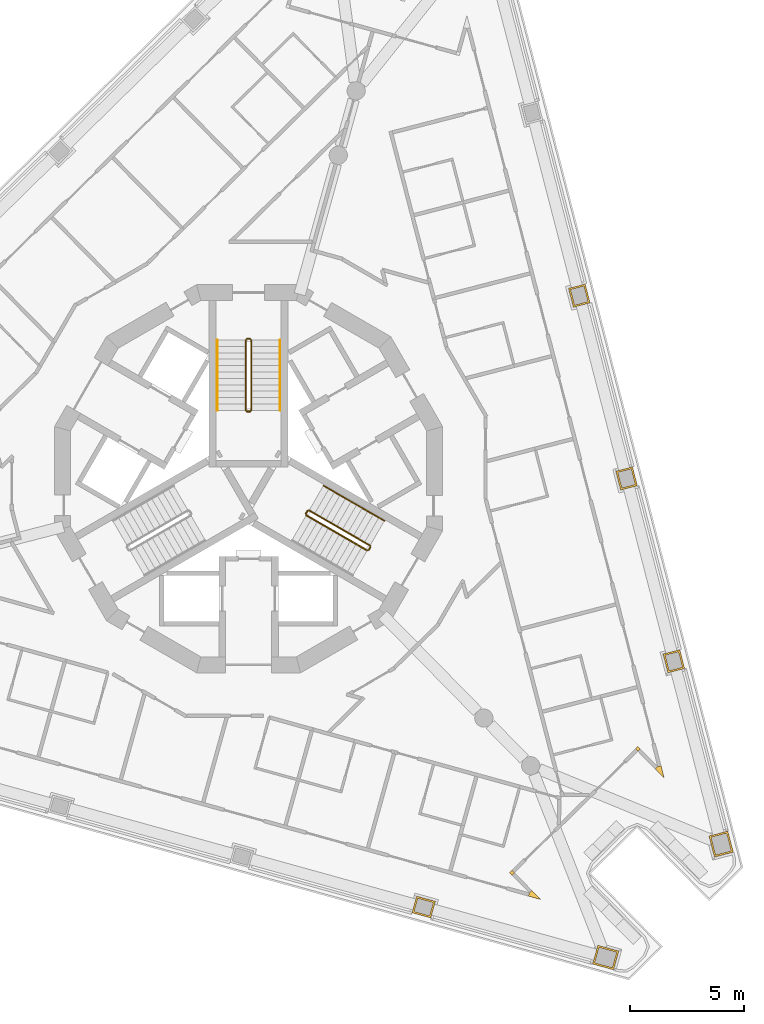
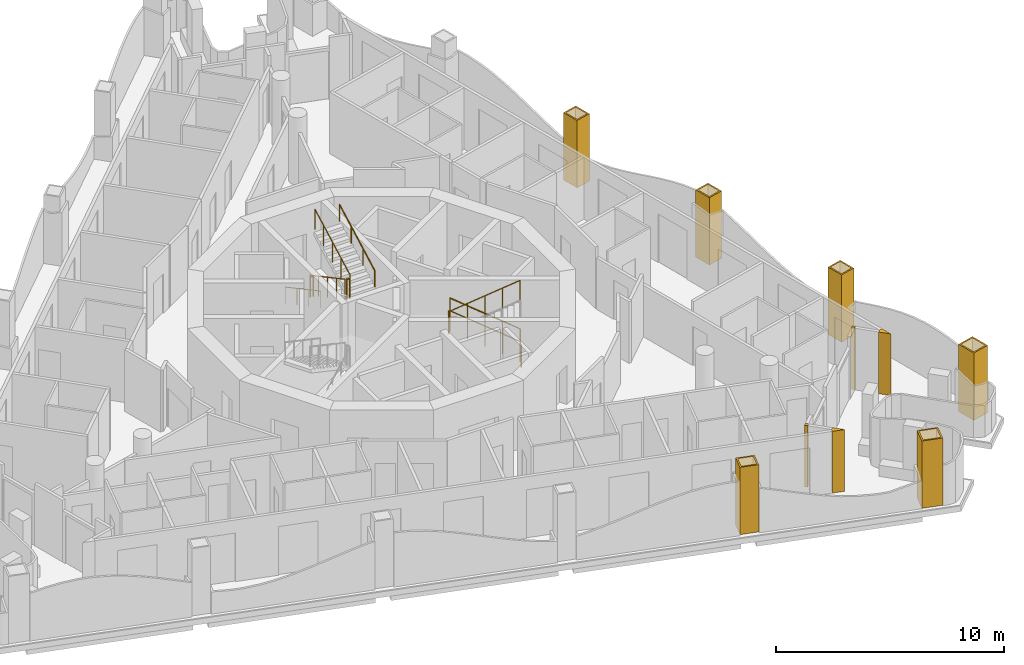
# One storey, part 13 of 15: 12 railings, 10 coverings.
"""IFC4 building model written with IfcOpenShell, lengths in metres."""

from ifc_helpers import new_model, si_unit, direction, frame, origin, origin_2d, place, context, subcontext, project, spatial, polyline, circle, outline, extrude, material, layer, layer_set, type_object, element, save


model = new_model("IFC4")

# Units and contexts
model_context = context("Model", 3, precision=1e-05, world=origin(), true_north=direction((0.0, 1.0)))
body_context = subcontext(model_context, "Body", "Model", "MODEL_VIEW")
ifc_project = project(units=[si_unit("LENGTHUNIT", "METRE"), si_unit("AREAUNIT", "SQUARE_METRE"), si_unit("VOLUMEUNIT", "CUBIC_METRE"), si_unit("PLANEANGLEUNIT", "RADIAN"), si_unit("MASSUNIT", "GRAM", prefix="KILO")], contexts=[model_context])

# Site, building, storey
site_placement = place(None, origin())
site = spatial("IfcSite", under=ifc_project, at=site_placement, CompositionType="ELEMENT")
building_placement = place(site_placement, origin())
building = spatial("IfcBuilding", under=site, at=building_placement, Name="Trine Commons Tower", CompositionType="ELEMENT")
storey_placement = place(building_placement, frame((0.0, 0.0, 260.10009765625)))
storey = spatial("IfcBuildingStorey", under=building, at=storey_placement, Name="L68", CompositionType="ELEMENT", Elevation=260.10009765625)

# Coverings
ifc_material_1 = material(Name="Aluminium-framed insulated wall panel", Category="aluminium")
ifc_layer_1 = layer(ifc_material_1, 0.14990234375)
ifc_layer_set_1 = layer_set([ifc_layer_1], Name="Aluminium-framed insulated wall panel")
covering_type_1 = type_object("IfcCoveringType", Name="Glazing corner post, aluminium", PredefinedType="CLADDING", material=ifc_layer_set_1)
covering_1_placement = place(storey_placement, origin())
element("IfcCovering", 1, at=covering_1_placement, inside=storey, type_object=covering_type_1, Name="Glazing corner post 7-06", PredefinedType="CLADDING", context=body_context, shape_type="SweptSolid", body=[
    extrude(outline(polyline([(97.80859375, 49.78515625), (98.200927734375, 49.3857421875), (98.060791015625, 49.927734375), (97.91552734375, 49.890380859375), (97.91552734375, 49.890380859375), (97.80859375, 49.78515625)])), origin(), (0.0, 0.0, 1.0), 3.2998046875),
])
covering_2_placement = place(storey_placement, origin())
element("IfcCovering", 2, at=covering_2_placement, inside=storey, type_object=covering_type_1, Name="Glazing corner post 7-07", PredefinedType="CLADDING", context=body_context, shape_type="SweptSolid", body=[
    extrude(outline(polyline([(96.9423828125, 50.66650390625), (97.047607421875, 50.5595703125), (97.154541015625, 50.66455078125), (97.04931640625, 50.771484375), (96.9423828125, 50.66650390625)])), origin(), (0.0, 0.0, 1.0), 3.2998046875),
])
covering_3_placement = place(storey_placement, origin())
element("IfcCovering", 3, at=covering_3_placement, inside=storey, type_object=covering_type_1, Name="Glazing corner post 7-08", PredefinedType="CLADDING", context=body_context, shape_type="SweptSolid", body=[
    extrude(outline(polyline([(91.5341796875, 45.1416015625), (91.64111328125, 45.24658203125), (91.535888671875, 45.353515625), (91.428955078125, 45.24853515625), (91.5341796875, 45.1416015625)])), origin(), (0.0, 0.0, 1.0), 3.2998046875),
])
covering_4_placement = place(storey_placement, origin())
element("IfcCovering", 4, at=covering_4_placement, inside=storey, type_object=covering_type_1, Name="Glazing corner post 7-09", PredefinedType="CLADDING", context=body_context, shape_type="SweptSolid", body=[
    extrude(outline(polyline([(92.255126953125, 44.222412109375), (92.79443359375, 44.072998046875), (92.402099609375, 44.47216796875), (92.295166015625, 44.3671875), (92.255126953125, 44.222412109375)])), origin(), (0.0, 0.0, 1.0), 3.2998046875),
])
ifc_material_2 = material(Name="Limestone, honed", Category="masonry")
ifc_layer_2 = layer(ifc_material_2, 0.074951171875)
ifc_layer_set_2 = layer_set([ifc_layer_2], Name="Limestone, honed")
covering_type_2 = type_object("IfcCoveringType", Name="Limestone column cladding 75", PredefinedType="CLADDING", material=ifc_layer_set_2)
covering_5_placement = place(storey_placement, origin())
element("IfcCovering", 5, at=covering_5_placement, inside=storey, type_object=covering_type_2, Name="Limestone pier cladding 7-01", PredefinedType="CLADDING", context=body_context, shape_type="SweptSolid", body=[
    extrude(outline(polyline([(95.292724609375, 42.0673828125), (95.0654296875, 41.248291015625), (95.98095703125, 40.994384765625), (96.2080078125, 41.8134765625), (95.292724609375, 42.0673828125)]), holes=[polyline([(95.344970703125, 41.97509765625), (95.15771484375, 41.300537109375), (95.9287109375, 41.086669921875), (96.11572265625, 41.76123046875), (95.344970703125, 41.97509765625)])]), origin(), (0.0, 0.0, 1.0), 3.599853515625),
])
covering_6_placement = place(storey_placement, origin())
element("IfcCovering", 6, at=covering_6_placement, inside=storey, type_object=covering_type_2, Name="Limestone pier cladding 7-02", PredefinedType="CLADDING", context=body_context, shape_type="SweptSolid", body=[
    extrude(outline(polyline([(87.359619140625, 44.215576171875), (87.158935546875, 43.492919921875), (87.97802734375, 43.265869140625), (88.1787109375, 43.988525390625), (87.359619140625, 44.215576171875)]), holes=[polyline([(87.41162109375, 44.123291015625), (87.25146484375, 43.545166015625), (87.92578125, 43.358154296875), (88.086181640625, 43.936279296875), (87.41162109375, 44.123291015625)])]), origin(), (0.0, 0.0, 1.0), 3.599853515625),
])
covering_7_placement = place(storey_placement, origin())
element("IfcCovering", 7, at=covering_7_placement, inside=storey, type_object=covering_type_2, Name="Limestone pier cladding 7-15", PredefinedType="CLADDING", context=body_context, shape_type="SweptSolid", body=[
    extrude(outline(polyline([(94.738525390625, 71.02099609375), (94.012451171875, 70.833251953125), (94.225341796875, 70.01025390625), (94.951416015625, 70.197998046875), (94.738525390625, 71.02099609375)]), holes=[polyline([(94.684814453125, 70.9296875), (94.10400390625, 70.779296875), (94.279296875, 70.101806640625), (94.860107421875, 70.251953125), (94.684814453125, 70.9296875)])]), origin(), (0.0, 0.0, 1.0), 3.599853515625),
])
covering_8_placement = place(storey_placement, origin())
element("IfcCovering", 8, at=covering_8_placement, inside=storey, type_object=covering_type_2, Name="Limestone pier cladding 7-16", PredefinedType="CLADDING", context=body_context, shape_type="SweptSolid", body=[
    extrude(outline(polyline([(96.808837890625, 63.015625), (96.082763671875, 62.827880859375), (96.295654296875, 62.0048828125), (97.021728515625, 62.192626953125), (96.808837890625, 63.015625)]), holes=[polyline([(96.755126953125, 62.92431640625), (96.17431640625, 62.77392578125), (96.349609375, 62.09619140625), (96.930419921875, 62.24658203125), (96.755126953125, 62.92431640625)])]), origin(), (0.0, 0.0, 1.0), 3.599853515625),
])
covering_9_placement = place(storey_placement, origin())
element("IfcCovering", 9, at=covering_9_placement, inside=storey, type_object=covering_type_2, Name="Limestone pier cladding 7-17", PredefinedType="CLADDING", context=body_context, shape_type="SweptSolid", body=[
    extrude(outline(polyline([(98.87939453125, 55.010498046875), (98.1533203125, 54.822509765625), (98.3662109375, 53.99951171875), (99.09228515625, 54.1875), (98.87939453125, 55.010498046875)]), holes=[polyline([(98.825439453125, 54.9189453125), (98.24462890625, 54.768798828125), (98.419921875, 54.091064453125), (99.000732421875, 54.2412109375), (98.825439453125, 54.9189453125)])]), origin(), (0.0, 0.0, 1.0), 3.599853515625),
])
covering_10_placement = place(storey_placement, origin())
element("IfcCovering", 10, at=covering_10_placement, inside=storey, type_object=covering_type_2, Name="Limestone pier cladding 7-18", PredefinedType="CLADDING", context=body_context, shape_type="SweptSolid", body=[
    extrude(outline(polyline([(100.985595703125, 47.06591796875), (100.16259765625, 46.853271484375), (100.400390625, 45.933349609375), (101.223388671875, 46.146240234375), (100.985595703125, 47.06591796875)]), holes=[polyline([(100.931640625, 46.974609375), (100.25390625, 46.79931640625), (100.454345703125, 46.02490234375), (101.132080078125, 46.2001953125), (100.931640625, 46.974609375)])]), origin(), (0.0, 0.0, 1.0), 3.599853515625),
])

# Railings
ifc_material_3 = material(Name="Stainless steel balustrade", Category="steel")
railing_type_1 = type_object("IfcRailingType", Name="Stair guard, steel balustrade 1100", PredefinedType="GUARDRAIL", material=ifc_material_3)
railing_1_placement = place(storey_placement, frame((79.875, 68.570556640625, 0.14990234375)))
element("IfcRailing", 11, at=railing_1_placement, inside=storey, type_object=railing_type_1, Name="L68 ST1C stair guard 1", PredefinedType="GUARDRAIL", context=body_context, shape_type="SweptSolid", body=[
    extrude(circle(Radius=0.02392578125, at=origin_2d()), frame((0.0, 0.0, 1.076171875), z_axis=(0.0, -0.881496589024, 0.472190389079), x_axis=(1.0, 0.0, 0.0)), (0.0, 0.0, 1.0), 3.494140625),
    extrude(circle(Radius=0.02099609375, at=origin_2d()), origin(), (0.0, 0.0, 1.0), 1.052001953125),
    extrude(circle(Radius=0.02099609375, at=origin_2d()), frame((0.0, -0.77001953125, 0.41259765625)), (0.0, 0.0, 1.0), 1.052001953125),
    extrude(circle(Radius=0.02099609375, at=origin_2d()), frame((0.0, -1.5400390625, 0.824951171875)), (0.0, 0.0, 1.0), 1.052001953125),
    extrude(circle(Radius=0.02099609375, at=origin_2d()), frame((0.0, -2.31005859375, 1.2373046875)), (0.0, 0.0, 1.0), 1.052001953125),
    extrude(circle(Radius=0.02099609375, at=origin_2d()), frame((0.0, -3.080078125, 1.64990234375)), (0.0, 0.0, 1.0), 1.052001953125),
])
railing_2_placement = place(storey_placement, frame((79.925048828125, 65.440673828125, 1.7998046875)))
element("IfcRailing", 12, at=railing_2_placement, inside=storey, type_object=railing_type_1, Name="L68 ST1C stair guard 2", PredefinedType="GUARDRAIL", context=body_context, shape_type="SweptSolid", body=[
    extrude(circle(Radius=0.02392578125, at=origin_2d()), frame((0.0, 0.0, 1.076171875), z_axis=(1.0, 0.0, 0.0), x_axis=(0.0, 1.0, 0.0)), (0.0, 0.0, 1.0), 0.14990234375),
    extrude(circle(Radius=0.02099609375, at=origin_2d()), origin(), (0.0, 0.0, 1.0), 1.052001953125),
    extrude(circle(Radius=0.02099609375, at=origin_2d()), frame((0.14990234375, 0.0, 0.0)), (0.0, 0.0, 1.0), 1.052001953125),
])
railing_3_placement = place(storey_placement, frame((80.125, 65.490478515625, 1.949951171875)))
element("IfcRailing", 13, at=railing_3_placement, inside=storey, type_object=railing_type_1, Name="L68 ST1C stair guard 3", PredefinedType="GUARDRAIL", context=body_context, shape_type="SweptSolid", body=[
    extrude(circle(Radius=0.02392578125, at=origin_2d()), frame((0.0, 0.0, 1.076171875), z_axis=(0.0, 0.881496589024, 0.472190389079), x_axis=(-1.0, 0.0, 0.0)), (0.0, 0.0, 1.0), 3.494140625),
    extrude(circle(Radius=0.02099609375, at=origin_2d()), origin(), (0.0, 0.0, 1.0), 1.052001953125),
    extrude(circle(Radius=0.02099609375, at=origin_2d()), frame((0.0, 0.77001953125, 0.41259765625)), (0.0, 0.0, 1.0), 1.052001953125),
    extrude(circle(Radius=0.02099609375, at=origin_2d()), frame((0.0, 1.5400390625, 0.824951171875)), (0.0, 0.0, 1.0), 1.052001953125),
    extrude(circle(Radius=0.02099609375, at=origin_2d()), frame((0.0, 2.31005859375, 1.2373046875)), (0.0, 0.0, 1.0), 1.052001953125),
    extrude(circle(Radius=0.02099609375, at=origin_2d()), frame((0.0, 3.080078125, 1.64990234375)), (0.0, 0.0, 1.0), 1.052001953125),
])
railing_4_placement = place(storey_placement, frame((79.925048828125, 68.62060546875, 0.0)))
element("IfcRailing", 14, at=railing_4_placement, inside=storey, type_object=railing_type_1, Name="L68 ST1C stair guard 4", PredefinedType="GUARDRAIL", context=body_context, shape_type="SweptSolid", body=[
    extrude(circle(Radius=0.02392578125, at=origin_2d()), frame((0.0, 0.0, 1.076171875), z_axis=(1.0, 0.0, 0.0), x_axis=(0.0, 1.0, 0.0)), (0.0, 0.0, 1.0), 0.14990234375),
    extrude(circle(Radius=0.02099609375, at=origin_2d()), origin(), (0.0, 0.0, 1.0), 1.052001953125),
    extrude(circle(Radius=0.02099609375, at=origin_2d()), frame((0.14990234375, 0.0, 0.0)), (0.0, 0.0, 1.0), 1.052001953125),
])
railing_5_placement = place(storey_placement, frame((85.31982421875, 59.572998046875, 0.14990234375)))
element("IfcRailing", 15, at=railing_5_placement, inside=storey, type_object=railing_type_1, Name="L68 ST3C stair guard 1", PredefinedType="GUARDRAIL", context=body_context, shape_type="SweptSolid", body=[
    extrude(circle(Radius=0.02392578125, at=origin_2d()), frame((0.0, 0.0, 1.076171875), z_axis=(-0.76340495495, 0.440743040072, 0.472184759798), x_axis=(-0.499992328818, -0.866029832698, 0.0)), (0.0, 0.0, 1.0), 3.494140625),
    extrude(circle(Radius=0.02099609375, at=origin_2d()), origin(), (0.0, 0.0, 1.0), 1.052001953125),
    extrude(circle(Radius=0.02099609375, at=origin_2d()), frame((-0.6669921875, 0.385009765625, 0.41259765625)), (0.0, 0.0, 1.0), 1.052001953125),
    extrude(circle(Radius=0.02099609375, at=origin_2d()), frame((-1.333740234375, 0.77001953125, 0.824951171875)), (0.0, 0.0, 1.0), 1.052001953125),
    extrude(circle(Radius=0.02099609375, at=origin_2d()), frame((-2.00048828125, 1.155029296875, 1.2373046875)), (0.0, 0.0, 1.0), 1.052001953125),
    extrude(circle(Radius=0.02099609375, at=origin_2d()), frame((-2.66748046875, 1.5400390625, 1.64990234375)), (0.0, 0.0, 1.0), 1.052001953125),
])
railing_6_placement = place(storey_placement, frame((82.584228515625, 61.0947265625, 1.7998046875)))
element("IfcRailing", 16, at=railing_6_placement, inside=storey, type_object=railing_type_1, Name="L68 ST3C stair guard 2", PredefinedType="GUARDRAIL", context=body_context, shape_type="SweptSolid", body=[
    extrude(circle(Radius=0.02392578125, at=origin_2d()), frame((0.0, 0.0, 1.076171875), z_axis=(-0.501036270542, -0.865426285481, 0.0), x_axis=(0.865426285481, -0.501036270542, 0.0)), (0.0, 0.0, 1.0), 0.150146484375),
    extrude(circle(Radius=0.02099609375, at=origin_2d()), origin(), (0.0, 0.0, 1.0), 1.052001953125),
    extrude(circle(Radius=0.02099609375, at=origin_2d()), frame((-0.0751953125, -0.1298828125, 0.0)), (0.0, 0.0, 1.0), 1.052001953125),
])
railing_7_placement = place(storey_placement, frame((82.52734375, 60.896484375, 1.949951171875)))
element("IfcRailing", 17, at=railing_7_placement, inside=storey, type_object=railing_type_1, Name="L68 ST3C stair guard 3", PredefinedType="GUARDRAIL", context=body_context, shape_type="SweptSolid", body=[
    extrude(circle(Radius=0.02392578125, at=origin_2d()), frame((0.0, 0.0, 1.076171875), z_axis=(0.76340495495, -0.440743040072, 0.472184759798), x_axis=(0.499992328818, 0.866029832698, 0.0)), (0.0, 0.0, 1.0), 3.494140625),
    extrude(circle(Radius=0.02099609375, at=origin_2d()), origin(), (0.0, 0.0, 1.0), 1.052001953125),
    extrude(circle(Radius=0.02099609375, at=origin_2d()), frame((0.6669921875, -0.385009765625, 0.41259765625)), (0.0, 0.0, 1.0), 1.052001953125),
    extrude(circle(Radius=0.02099609375, at=origin_2d()), frame((1.333740234375, -0.77001953125, 0.824951171875)), (0.0, 0.0, 1.0), 1.052001953125),
    extrude(circle(Radius=0.02099609375, at=origin_2d()), frame((2.00048828125, -1.155029296875, 1.2373046875)), (0.0, 0.0, 1.0), 1.052001953125),
    extrude(circle(Radius=0.02099609375, at=origin_2d()), frame((2.66748046875, -1.5400390625, 1.64990234375)), (0.0, 0.0, 1.0), 1.052001953125),
])
railing_8_placement = place(storey_placement, frame((85.338134765625, 59.504638671875, 0.0)))
element("IfcRailing", 18, at=railing_8_placement, inside=storey, type_object=railing_type_1, Name="L68 ST3C stair guard 4", PredefinedType="GUARDRAIL", context=body_context, shape_type="SweptSolid", body=[
    extrude(circle(Radius=0.02392578125, at=origin_2d()), frame((0.0, 0.0, 1.076171875), z_axis=(-0.499816412211, -0.866131372301, 0.0), x_axis=(0.866131372301, -0.499816412211, 0.0)), (0.0, 0.0, 1.0), 0.14990234375),
    extrude(circle(Radius=0.02099609375, at=origin_2d()), origin(), (0.0, 0.0, 1.0), 1.052001953125),
    extrude(circle(Radius=0.02099609375, at=origin_2d()), frame((-0.074951171875, -0.1298828125, 0.0)), (0.0, 0.0, 1.0), 1.052001953125),
])
ifc_material_4 = material(Name="Stainless steel handrail", Category="steel")
railing_type_2 = type_object("IfcRailingType", Name="Stair handrail, steel 900", PredefinedType="HANDRAIL", material=ifc_material_4)
railing_9_placement = place(storey_placement, frame((78.625, 68.570556640625, 0.14990234375)))
element("IfcRailing", 19, at=railing_9_placement, inside=storey, type_object=railing_type_2, Name="L68 ST1C stair handrail 1", PredefinedType="HANDRAIL", context=body_context, shape_type="SweptSolid", body=[
    extrude(circle(Radius=0.02099609375, at=origin_2d()), frame((0.0, 0.0, 0.87890625), z_axis=(0.0, -0.881496589024, 0.472190389079), x_axis=(1.0, 0.0, 0.0)), (0.0, 0.0, 1.0), 3.494140625),
    extrude(circle(Radius=0.01513671875, at=origin_2d()), origin(), (0.0, 0.0, 1.0), 0.85791015625),
    extrude(circle(Radius=0.01513671875, at=origin_2d()), frame((0.0, -1.026611328125, 0.550048828125)), (0.0, 0.0, 1.0), 0.85791015625),
    extrude(circle(Radius=0.01513671875, at=origin_2d()), frame((0.0, -2.053466796875, 1.099853515625)), (0.0, 0.0, 1.0), 0.85791015625),
    extrude(circle(Radius=0.01513671875, at=origin_2d()), frame((0.0, -3.080078125, 1.64990234375)), (0.0, 0.0, 1.0), 0.85791015625),
])
railing_10_placement = place(storey_placement, frame((81.375, 65.490478515625, 1.949951171875)))
element("IfcRailing", 20, at=railing_10_placement, inside=storey, type_object=railing_type_2, Name="L68 ST1C stair handrail 2", PredefinedType="HANDRAIL", context=body_context, shape_type="SweptSolid", body=[
    extrude(circle(Radius=0.02099609375, at=origin_2d()), frame((0.0, 0.0, 0.87890625), z_axis=(0.0, 0.881496589024, 0.472190389079), x_axis=(-1.0, 0.0, 0.0)), (0.0, 0.0, 1.0), 3.494140625),
    extrude(circle(Radius=0.01513671875, at=origin_2d()), origin(), (0.0, 0.0, 1.0), 0.85791015625),
    extrude(circle(Radius=0.01513671875, at=origin_2d()), frame((0.0, 1.026611328125, 0.550048828125)), (0.0, 0.0, 1.0), 0.85791015625),
    extrude(circle(Radius=0.01513671875, at=origin_2d()), frame((0.0, 2.053466796875, 1.099853515625)), (0.0, 0.0, 1.0), 0.85791015625),
    extrude(circle(Radius=0.01513671875, at=origin_2d()), frame((0.0, 3.080078125, 1.64990234375)), (0.0, 0.0, 1.0), 0.85791015625),
])
for number, where, name in (
    (21, (85.94482421875, 60.655517578125, 0.14990234375), "L68 ST3C stair handrail 1"),
    (22, (84.611083984375, 61.425537109375, 0.974853515625), "L68 ST3C stair handrail 2"),
):
    element("IfcRailing", number, at=place(storey_placement, frame(where)), inside=storey, type_object=railing_type_2, Name=name, PredefinedType="HANDRAIL", context=body_context, shape_type="SweptSolid", body=[
        extrude(circle(Radius=0.02099609375, at=origin_2d()), frame((0.0, 0.0, 0.87890625), z_axis=(-0.76340495495, 0.440743040072, 0.472184759798), x_axis=(-0.499992328818, -0.866029832698, 0.0)), (0.0, 0.0, 1.0), 1.7470703125),
        extrude(circle(Radius=0.01513671875, at=origin_2d()), origin(), (0.0, 0.0, 1.0), 0.85791015625),
        extrude(circle(Radius=0.01513671875, at=origin_2d()), frame((-0.6669921875, 0.385009765625, 0.41259765625)), (0.0, 0.0, 1.0), 0.85791015625),
        extrude(circle(Radius=0.01513671875, at=origin_2d()), frame((-1.333740234375, 0.77001953125, 0.824951171875)), (0.0, 0.0, 1.0), 0.85791015625),
    ])

save(model, "model.ifc")
